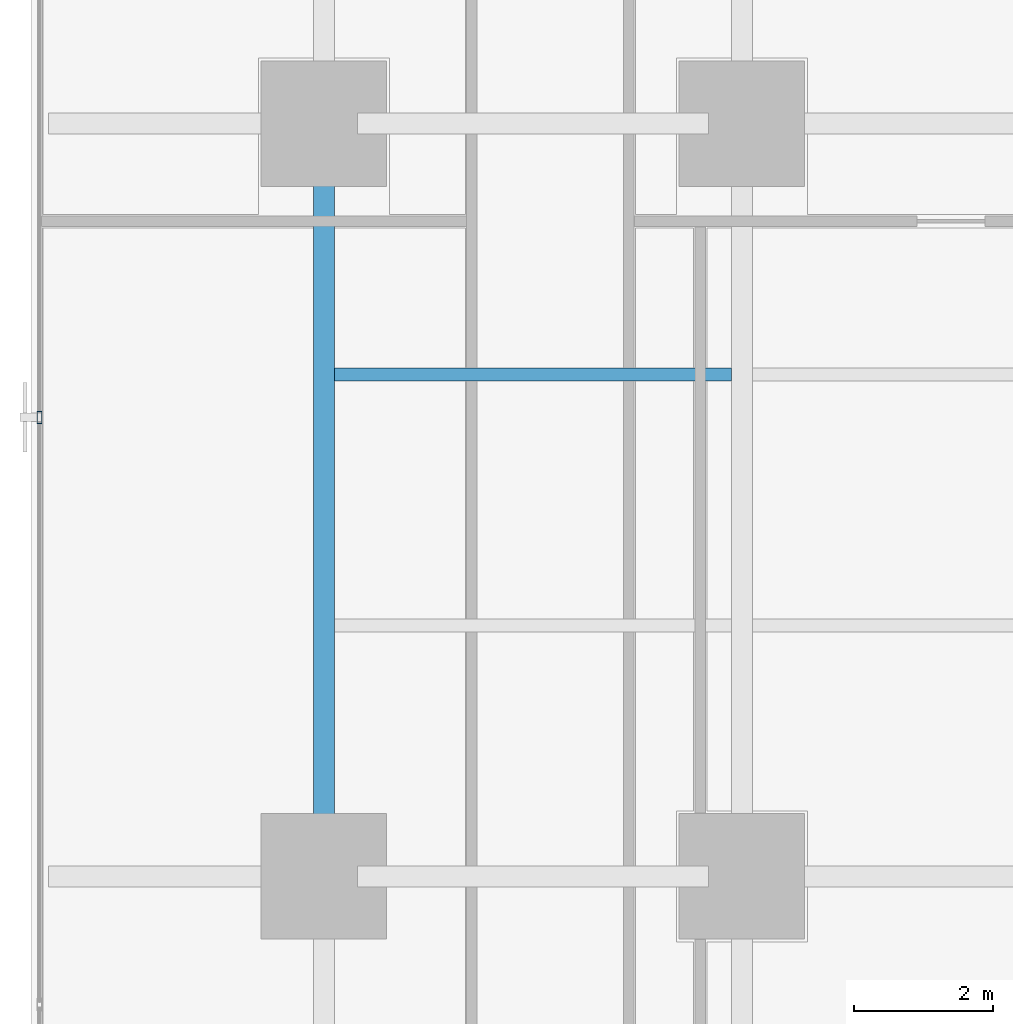
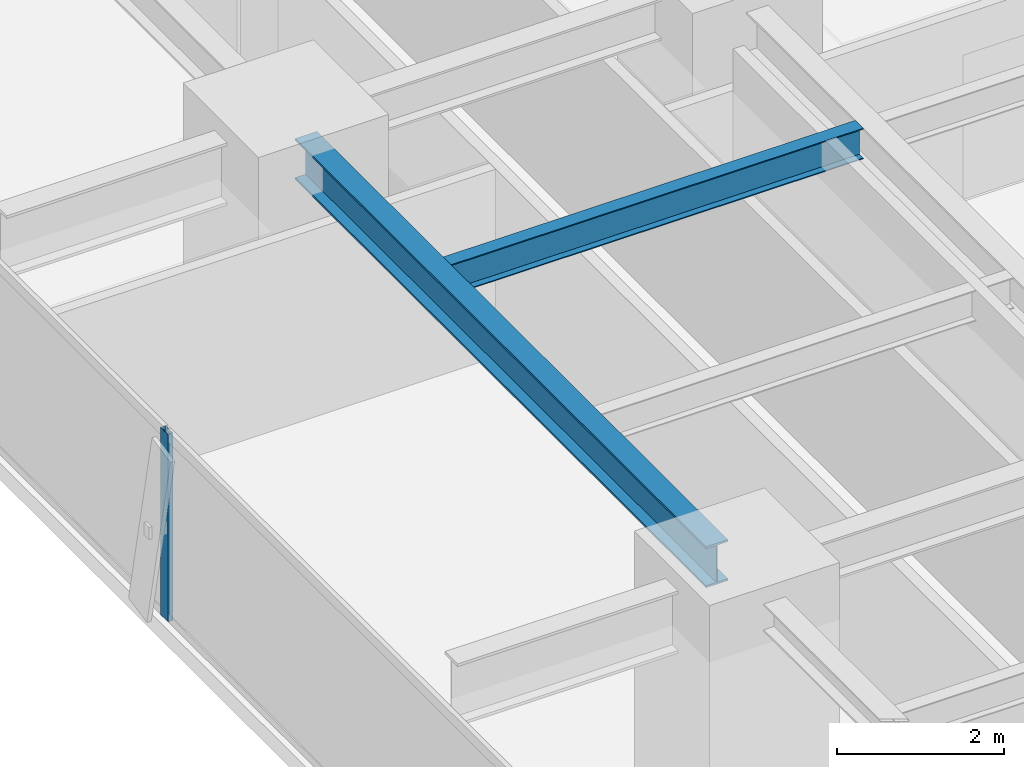
# One storey, part 7 of 32: 2 beams, 1 member, 1 element without a shape of its own.
"""IFC4 building model written with IfcOpenShell, lengths in metres."""

from ifc_helpers import new_model, si_unit, direction, frame, origin, origin_2d, place, context, subcontext, project, spatial, hollow_rectangle, i_section, extrude, source, transform, mapped, material, layer, layer_set, material_profile, profile_set, type_object, element, aggregate, save


model = new_model("IFC4")

# Units and contexts
model_context = context("Model", 3, precision=1e-05, world=origin(), true_north=direction((0.0, 1.0)))
body_context = subcontext(model_context, "Body", "Model", "MODEL_VIEW")
ifc_project = project(units=[si_unit("LENGTHUNIT", "METRE"), si_unit("AREAUNIT", "SQUARE_METRE"), si_unit("VOLUMEUNIT", "CUBIC_METRE"), si_unit("PLANEANGLEUNIT", "RADIAN"), si_unit("MASSUNIT", "GRAM", prefix="KILO")], contexts=[model_context])

# Site, building, storey
site_placement = place(None, origin())
site = spatial("IfcSite", under=ifc_project, at=site_placement, CompositionType="ELEMENT")
building_placement = place(site_placement, origin())
building = spatial("IfcBuilding", under=site, at=building_placement, Name="Sumidabori Civic Tower", CompositionType="ELEMENT")
storey_placement = place(building_placement, frame((0.0, 0.0, 45.199951171875)))
storey = spatial("IfcBuildingStorey", under=building, at=storey_placement, Name="L11", CompositionType="ELEMENT", Elevation=45.199951171875)

# Beams
ifc_material_1 = material(Name="Steel SN490", Category="steel")
ifc_material_profile_1 = material_profile(ifc_material_1, i_section(OverallWidth=0.300048828125, OverallDepth=0.60009765625, WebThickness=0.015380859375, FlangeThickness=0.030029296875, at=origin_2d()), Name="HE 600 B")
ifc_profile_set_1 = profile_set([ifc_material_profile_1], Name="Steel SN490")
beam_type_1 = type_object("IfcBeamType", Name="BM-GIRD-600", PredefinedType="BEAM", material=ifc_profile_set_1)
shared_shape_1 = source(origin(), body_context, "Body", "SweptSolid", [
    extrude(i_section(OverallWidth=0.300048828125, OverallDepth=0.60009765625, WebThickness=0.015380859375, FlangeThickness=0.030029296875, at=origin_2d()), origin(), (0.0, 0.0, 1.0), 9.840087890625),
])
beam_1_placement = place(storey_placement, frame((-22.800048828125, -10.320068359375, 3.06005859375), z_axis=(0.0, 1.0, 0.0), x_axis=(-1.0, 0.0, 0.0)))
element("IfcBeam", 1, at=beam_1_placement, inside=storey, type_object=beam_type_1, Name="Primary Girder L11 GY-22", PredefinedType="BEAM", context=body_context, shape_type="MappedRepresentation", body=[
    mapped(shared_shape_1, transform((0.0, 0.0, 0.0), x_axis=(1.0, 0.0, 0.0), y_axis=(0.0, 1.0, 0.0), z_axis=(0.0, 0.0, 1.0), scale=1.0)),
])
ifc_material_profile_2 = material_profile(ifc_material_1, i_section(OverallWidth=0.18994140625, OverallDepth=0.449951171875, WebThickness=0.009521484375, FlangeThickness=0.0146484375, at=origin_2d()), Name="IPE 450")
ifc_profile_set_2 = profile_set([ifc_material_profile_2], Name="Steel SN490")
beam_type_2 = type_object("IfcBeamType", Name="BM-JST-450", PredefinedType="JOIST", material=ifc_profile_set_2)
shared_shape_2 = source(origin(), body_context, "Body", "SweptSolid", [
    extrude(i_section(OverallWidth=0.18994140625, OverallDepth=0.449951171875, WebThickness=0.009521484375, FlangeThickness=0.0146484375, at=origin_2d()), origin(), (0.0, 0.0, 1.0), 5.699951171875),
])
beam_2_placement = place(storey_placement, frame((-22.64990234375, -3.60009765625, 3.135009765625), z_axis=(1.0, 0.0, 0.0), x_axis=(0.0, 1.0, 0.0)))
element("IfcBeam", 2, at=beam_2_placement, inside=storey, type_object=beam_type_2, Name="Outer Bay Floor Joist L11 JSTO-51", PredefinedType="JOIST", context=body_context, shape_type="MappedRepresentation", body=[
    mapped(shared_shape_2, transform((0.0, 0.0, 0.0), x_axis=(1.0, 0.0, 0.0), y_axis=(0.0, 1.0, 0.0), z_axis=(0.0, 0.0, 1.0), scale=1.0)),
])

# Curtain wall, member
ifc_material_2 = material(Name="Anodised Bronze Aluminium AW-6063-T6", Category="aluminium")
ifc_layer = layer(ifc_material_2, 0.179931640625, Name="Anodised Bronze Aluminium AW-6063-T6")
ifc_layer_set = layer_set([ifc_layer], Name="Anodised Bronze Aluminium AW-6063-T6")
curtain_wall_type = type_object("IfcCurtainWallType", Name="CW-SYS-2", PredefinedType="NOTDEFINED", material=ifc_layer_set)
curtain_wall_placement = place(storey_placement, origin())
curtain_wall = element("IfcCurtainWall", 3, at=curtain_wall_placement, inside=storey, type_object=curtain_wall_type, Name="Curtain Wall CW:L11:R10", PredefinedType="NOTDEFINED")
ifc_material_profile_3 = material_profile(ifc_material_2, hollow_rectangle(XDim=0.070068359375, YDim=0.179931640625, WallThickness=0.006103515625, at=origin_2d()), Name="ALU MULLION 180x70")
ifc_profile_set_3 = profile_set([ifc_material_profile_3], Name="Anodised Bronze Aluminium AW-6063-T6")
member_type = type_object("IfcMemberType", Name="CW-MUL-180", PredefinedType="MULLION", material=ifc_profile_set_3)
shared_shape_3 = source(origin(), body_context, "Body", "SweptSolid", [
    extrude(hollow_rectangle(XDim=0.070068359375, YDim=0.179931640625, WallThickness=0.006103515625, at=origin_2d()), origin(), (0.0, 0.0, 1.0), 2.739990234375),
])
member_placement = place(storey_placement, frame((-26.8798828125, -4.214111328125, 0.0), z_axis=(0.0, 0.0, 1.0), x_axis=(1.0, 0.0, 0.0)))
member = element("IfcMember", 4, at=member_placement, type_object=member_type, Name="CW-2 mullion 4", PredefinedType="MULLION", context=body_context, shape_type="MappedRepresentation", body=[
    mapped(shared_shape_3, transform((0.0, 0.0, 0.0), x_axis=(1.0, 0.0, 0.0), y_axis=(0.0, 1.0, 0.0), z_axis=(0.0, 0.0, 1.0), scale=1.0)),
])
aggregate(curtain_wall, [member])

save(model, "model.ifc")
